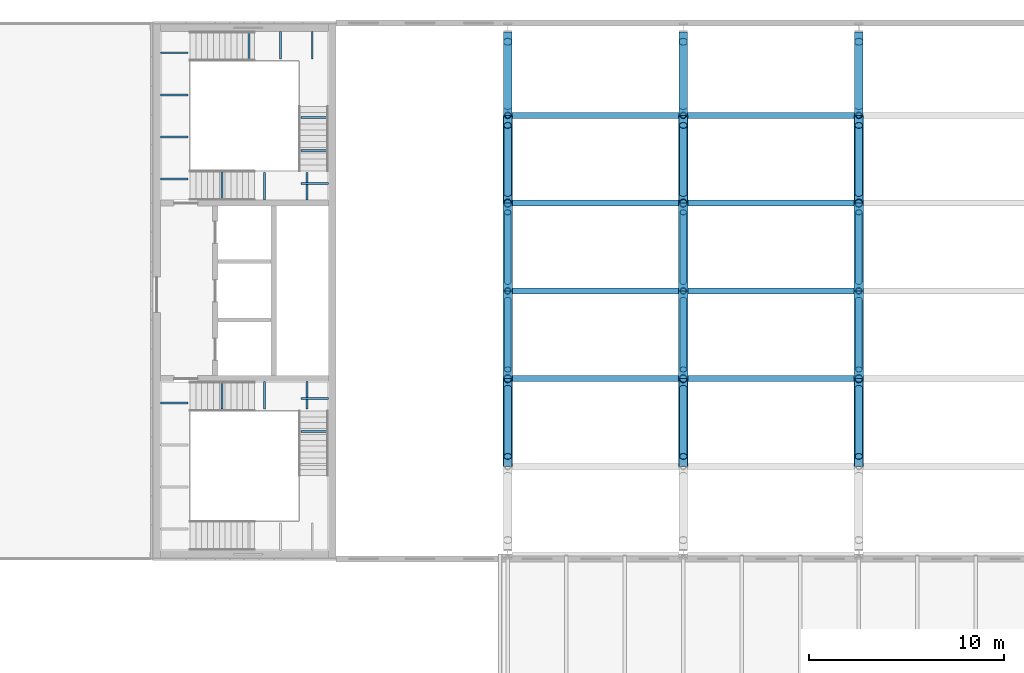
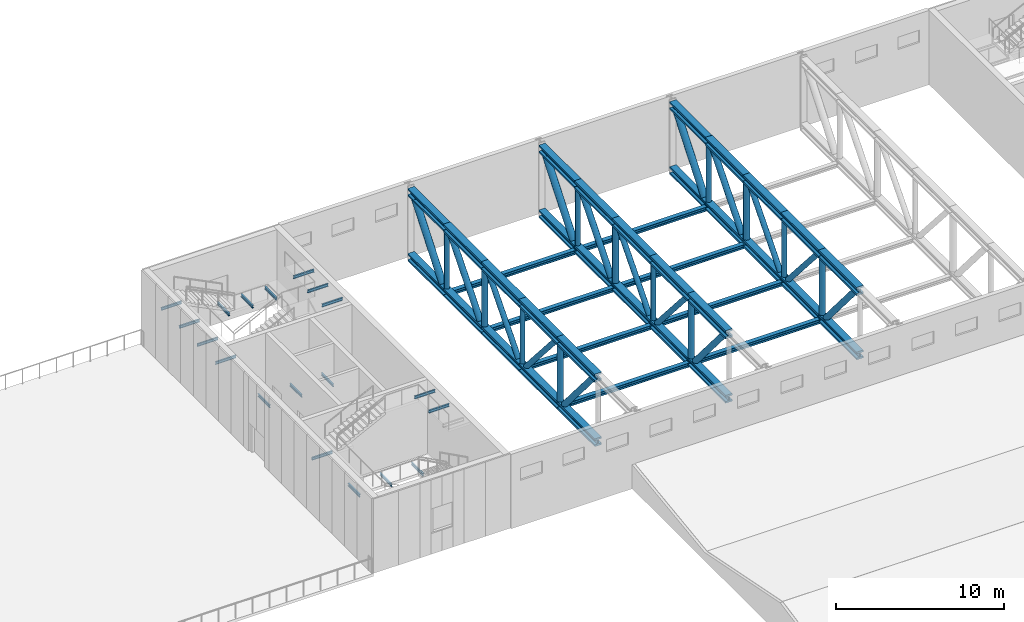
# One storey, part 17 of 29: 57 beams, 27 members.
"""IFC4 building model written with IfcOpenShell, lengths in metres."""

from ifc_helpers import new_model, si_unit, direction, frame, origin, origin_2d, place, context, subcontext, project, spatial, hollow_circle, i_section, extrude, material, material_profile, profile_set, type_object, element, save


model = new_model("IFC4")

# Units and contexts
model_context = context("Model", 3, precision=1e-05, world=origin(), true_north=direction((0.0, 1.0)))
body_context = subcontext(model_context, "Body", "Model", "MODEL_VIEW")
ifc_project = project(units=[si_unit("LENGTHUNIT", "METRE"), si_unit("AREAUNIT", "SQUARE_METRE"), si_unit("VOLUMEUNIT", "CUBIC_METRE"), si_unit("PLANEANGLEUNIT", "RADIAN"), si_unit("MASSUNIT", "GRAM", prefix="KILO")], contexts=[model_context])

# Site, building, storey
site_placement = place(None, origin())
site = spatial("IfcSite", under=ifc_project, at=site_placement, CompositionType="ELEMENT")
building_placement = place(site_placement, origin())
building = spatial("IfcBuilding", under=site, at=building_placement, Name="Azimuth Sports and Learning Centre", CompositionType="ELEMENT")
storey_placement = place(building_placement, frame((0.0, 0.0, 27.0)))
storey = spatial("IfcBuildingStorey", under=building, at=storey_placement, Name="L05", CompositionType="ELEMENT", Elevation=27.0)

# Beams
ifc_material_1 = material(Name="Steel S355", Category="steel")
ifc_material_profile_1 = material_profile(ifc_material_1, i_section(OverallWidth=0.300048828125, OverallDepth=0.300048828125, WebThickness=0.010986328125, FlangeThickness=0.01904296875, FilletRadius=0.027099609375, at=origin_2d()), Name="HEB 300")
ifc_profile_set_1 = profile_set([ifc_material_profile_1], Name="Steel S355")
beam_type_1 = type_object("IfcBeamType", Name="Beam HEB 300", PredefinedType="BEAM", material=ifc_profile_set_1)
for number, where, z_axis, x_axis, name in (
    (1, (72.235595703125, 99.0, 0.14990234375), (1.0, 0.0, 0.0), (0.0, 1.0, 0.0), "Transfer truss bracing strut 4"),
    (2, (81.235595703125, 99.0, 0.14990234375), (1.0, 0.0, 0.0), (0.0, 1.0, 0.0), "Transfer truss bracing strut 5"),
    (3, (72.235595703125, 103.5, 0.14990234375), (1.0, 0.0, 0.0), (0.0, 1.0, 0.0), "Transfer truss bracing strut 7"),
    (4, (81.235595703125, 103.5, 0.14990234375), (1.0, 0.0, 0.0), (0.0, 1.0, 0.0), "Transfer truss bracing strut 8"),
    (5, (72.235595703125, 108.0, 0.14990234375), (1.0, 0.0, 0.0), (0.0, 1.0, 0.0), "Transfer truss bracing strut 10"),
    (6, (81.235595703125, 108.0, 0.14990234375), (1.0, 0.0, 0.0), (0.0, 1.0, 0.0), "Transfer truss bracing strut 11"),
):
    element("IfcBeam", number, at=place(storey_placement, frame(where, z_axis=z_axis, x_axis=x_axis)), inside=storey, type_object=beam_type_1, Name=name, PredefinedType="BEAM", context=body_context, shape_type="SweptSolid", body=[
        extrude(i_section(OverallWidth=0.300048828125, OverallDepth=0.300048828125, WebThickness=0.010986328125, FlangeThickness=0.01904296875, FilletRadius=0.027099609375, at=origin_2d()), origin(), (0.0, 0.0, 1.0), 8.52880859375),
    ])
for number, where, z_axis, x_axis, name in (
    (7, (72.22705078125, 112.5, 0.14990234375), (1.0, 0.0, 0.0), (0.0, 1.0, 0.0), "Transfer truss bracing strut 13"),
    (8, (81.22705078125, 112.5, 0.14990234375), (1.0, 0.0, 0.0), (0.0, 1.0, 0.0), "Transfer truss bracing strut 14"),
):
    element("IfcBeam", number, at=place(storey_placement, frame(where, z_axis=z_axis, x_axis=x_axis)), inside=storey, type_object=beam_type_1, Name=name, PredefinedType="BEAM", context=body_context, shape_type="SweptSolid", body=[
        extrude(i_section(OverallWidth=0.300048828125, OverallDepth=0.300048828125, WebThickness=0.010986328125, FlangeThickness=0.01904296875, FilletRadius=0.027099609375, at=origin_2d()), origin(), (0.0, 0.0, 1.0), 8.5458984375),
    ])
ifc_material_2 = material(Name="Steel S355", Category="steel")
ifc_material_profile_2 = material_profile(ifc_material_2, i_section(OverallWidth=0.10009765625, OverallDepth=0.199951171875, WebThickness=0.005615234375, FlangeThickness=0.008544921875, FilletRadius=0.011962890625, at=origin_2d()), Name="IPE 200")
ifc_profile_set_2 = profile_set([ifc_material_profile_2], Name="Steel S355")
beam_type_2 = type_object("IfcBeamType", Name="Beam IPE 200", PredefinedType="BEAM", material=ifc_profile_set_2)
for number, where, z_axis, x_axis, name in (
    (9, (57.340087890625, 98.85009765625, -0.300048828125), (0.0, -1.0, 0.0), (1.0, 0.0, 0.0), "Landing bracket W1 L05 46"),
    (10, (59.52001953125, 98.85009765625, -0.300048828125), (0.0, -1.0, 0.0), (1.0, 0.0, 0.0), "Landing bracket W1 L05 47"),
    (11, (61.699951171875, 98.85009765625, -0.300048828125), (0.0, -1.0, 0.0), (1.0, 0.0, 0.0), "Landing bracket W1 L05 48"),
    (12, (54.199951171875, 97.76123046875, 3.300048828125), (1.0, 0.0, 0.0), (0.0, 1.0, 0.0), "Landing bracket W1 L05 55"),
    (13, (62.800048828125, 96.294921875, 5.10009765625), (-1.0, 0.0, 0.0), (0.0, -1.0, 0.0), "Landing bracket W1 L05 57"),
    (14, (62.800048828125, 97.99169921875, 5.10009765625), (-1.0, 0.0, 0.0), (0.0, -1.0, 0.0), "Landing bracket W1 L05 58"),
    (15, (57.340087890625, 108.14990234375, -0.300048828125), (0.0, 1.0, 0.0), (-1.0, 0.0, 0.0), "Landing bracket W2 L05 224"),
    (16, (59.52001953125, 108.14990234375, -0.300048828125), (0.0, 1.0, 0.0), (-1.0, 0.0, 0.0), "Landing bracket W2 L05 225"),
    (17, (61.699951171875, 108.14990234375, -0.300048828125), (0.0, 1.0, 0.0), (-1.0, 0.0, 0.0), "Landing bracket W2 L05 226"),
    (18, (58.723388671875, 116.800048828125, 1.5), (0.0, -1.0, 0.0), (1.0, 0.0, 0.0), "Landing bracket W2 L05 227"),
    (19, (60.35009765625, 116.800048828125, 1.5), (0.0, -1.0, 0.0), (1.0, 0.0, 0.0), "Landing bracket W2 L05 228"),
    (20, (61.9765625, 116.800048828125, 1.5), (0.0, -1.0, 0.0), (1.0, 0.0, 0.0), "Landing bracket W2 L05 229"),
    (21, (54.199951171875, 109.23876953125, 3.300048828125), (1.0, 0.0, 0.0), (0.0, 1.0, 0.0), "Landing bracket W2 L05 230"),
    (22, (54.199951171875, 111.396240234375, 3.300048828125), (1.0, 0.0, 0.0), (0.0, 1.0, 0.0), "Landing bracket W2 L05 231"),
    (23, (54.199951171875, 113.5537109375, 3.300048828125), (1.0, 0.0, 0.0), (0.0, 1.0, 0.0), "Landing bracket W2 L05 232"),
    (24, (54.199951171875, 115.711181640625, 3.300048828125), (1.0, 0.0, 0.0), (0.0, 1.0, 0.0), "Landing bracket W2 L05 233"),
    (25, (62.800048828125, 109.00830078125, 5.10009765625), (-1.0, 0.0, 0.0), (0.0, -1.0, 0.0), "Landing bracket W2 L05 234"),
    (26, (62.800048828125, 110.705078125, 5.10009765625), (-1.0, 0.0, 0.0), (0.0, -1.0, 0.0), "Landing bracket W2 L05 235"),
    (27, (62.800048828125, 112.401611328125, 5.10009765625), (-1.0, 0.0, 0.0), (0.0, -1.0, 0.0), "Landing bracket W2 L05 236"),
):
    element("IfcBeam", number, at=place(storey_placement, frame(where, z_axis=z_axis, x_axis=x_axis)), inside=storey, type_object=beam_type_2, Name=name, PredefinedType="BEAM", context=body_context, shape_type="SweptSolid", body=[
        extrude(i_section(OverallWidth=0.10009765625, OverallDepth=0.199951171875, WebThickness=0.005615234375, FlangeThickness=0.008544921875, FilletRadius=0.011962890625, at=origin_2d()), origin(), (0.0, 0.0, 1.0), 1.41015625),
    ])
ifc_material_3 = material(Name="Steel S460", Category="steel")
ifc_material_profile_3 = material_profile(ifc_material_3, i_section(OverallWidth=0.4541015625, OverallDepth=0.569091796875, WebThickness=0.077880859375, FlangeThickness=0.125, FilletRadius=0.014892578125, at=origin_2d()), Name="HD 400x1086")
ifc_profile_set_3 = profile_set([ifc_material_profile_3], Name="Steel S460")
beam_type_3 = type_object("IfcBeamType", Name="Truss chord HD 400x1086", PredefinedType="USERDEFINED", material=ifc_profile_set_3)
for number, where, z_axis, x_axis, name in (
    (28, (72.0, 94.5, 0.284423828125), (0.0, 1.0, 0.0), (-1.0, 0.0, 0.0), "Transfer truss TT-1 bottom chord 2"),
    (29, (72.0, 108.0, 0.284423828125), (0.0, 1.0, 0.0), (-1.0, 0.0, 0.0), "Transfer truss TT-1 bottom chord 5"),
    (30, (81.0, 94.5, 0.284423828125), (0.0, 1.0, 0.0), (-1.0, 0.0, 0.0), "Transfer truss TT-2 bottom chord 2"),
    (31, (81.0, 108.0, 0.284423828125), (0.0, 1.0, 0.0), (-1.0, 0.0, 0.0), "Transfer truss TT-2 bottom chord 5"),
    (32, (90.0, 94.5, 0.284423828125), (0.0, 1.0, 0.0), (-1.0, 0.0, 0.0), "Transfer truss TT-3 bottom chord 2"),
    (33, (90.0, 108.0, 0.284423828125), (0.0, 1.0, 0.0), (-1.0, 0.0, 0.0), "Transfer truss TT-3 bottom chord 5"),
):
    element("IfcBeam", number, at=place(storey_placement, frame(where, z_axis=z_axis, x_axis=x_axis)), inside=storey, type_object=beam_type_3, Name=name, ObjectType="TRUSS CHORD", PredefinedType="USERDEFINED", context=body_context, shape_type="SweptSolid", body=[
        extrude(i_section(OverallWidth=0.4541015625, OverallDepth=0.569091796875, WebThickness=0.077880859375, FlangeThickness=0.125, FilletRadius=0.014892578125, at=origin_2d()), origin(), (0.0, 0.0, 1.0), 4.5),
    ])
ifc_material_4 = material(Name="Steel S460", Category="steel")
ifc_material_profile_4 = material_profile(ifc_material_4, i_section(OverallWidth=0.470947265625, OverallDepth=0.580078125, WebThickness=0.094970703125, FlangeThickness=0.1298828125, FilletRadius=0.014892578125, at=origin_2d()), Name="HD 400x1202")
ifc_profile_set_4 = profile_set([ifc_material_profile_4], Name="Steel S460")
beam_type_4 = type_object("IfcBeamType", Name="Truss chord HD 400x1202", PredefinedType="USERDEFINED", material=ifc_profile_set_4)
for number, where, z_axis, x_axis, name in (
    (34, (72.0, 99.0, 0.2900390625), (0.0, 1.0, 0.0), (-1.0, 0.0, 0.0), "Transfer truss TT-1 bottom chord 3"),
    (35, (72.0, 103.5, 0.2900390625), (0.0, 1.0, 0.0), (-1.0, 0.0, 0.0), "Transfer truss TT-1 bottom chord 4"),
    (36, (81.0, 99.0, 0.2900390625), (0.0, 1.0, 0.0), (-1.0, 0.0, 0.0), "Transfer truss TT-2 bottom chord 3"),
    (37, (81.0, 103.5, 0.2900390625), (0.0, 1.0, 0.0), (-1.0, 0.0, 0.0), "Transfer truss TT-2 bottom chord 4"),
    (38, (90.0, 99.0, 0.2900390625), (0.0, 1.0, 0.0), (-1.0, 0.0, 0.0), "Transfer truss TT-3 bottom chord 3"),
    (39, (90.0, 103.5, 0.2900390625), (0.0, 1.0, 0.0), (-1.0, 0.0, 0.0), "Transfer truss TT-3 bottom chord 4"),
):
    element("IfcBeam", number, at=place(storey_placement, frame(where, z_axis=z_axis, x_axis=x_axis)), inside=storey, type_object=beam_type_4, Name=name, ObjectType="TRUSS CHORD", PredefinedType="USERDEFINED", context=body_context, shape_type="SweptSolid", body=[
        extrude(i_section(OverallWidth=0.470947265625, OverallDepth=0.580078125, WebThickness=0.094970703125, FlangeThickness=0.1298828125, FilletRadius=0.014892578125, at=origin_2d()), origin(), (0.0, 0.0, 1.0), 4.5),
    ])
ifc_material_5 = material(Name="Steel S460", Category="steel")
ifc_material_profile_5 = material_profile(ifc_material_5, i_section(OverallWidth=0.47607421875, OverallDepth=0.60009765625, WebThickness=0.10009765625, FlangeThickness=0.139892578125, FilletRadius=0.014892578125, at=origin_2d()), Name="HD 400x1299")
ifc_profile_set_5 = profile_set([ifc_material_profile_5], Name="Steel S460")
beam_type_5 = type_object("IfcBeamType", Name="Truss chord HD 400x1299", PredefinedType="USERDEFINED", material=ifc_profile_set_5)
for number, where, z_axis, x_axis, name in (
    (40, (72.0, 94.5, 4.969970703125), (0.0, 1.0, 0.0), (-1.0, 0.0, 0.0), "Transfer truss TT-1 top chord 2"),
    (41, (72.0, 99.0, 4.969970703125), (0.0, 1.0, 0.0), (-1.0, 0.0, 0.0), "Transfer truss TT-1 top chord 3"),
    (42, (72.0, 103.5, 4.969970703125), (0.0, 1.0, 0.0), (-1.0, 0.0, 0.0), "Transfer truss TT-1 top chord 4"),
    (43, (72.0, 108.0, 4.969970703125), (0.0, 1.0, 0.0), (-1.0, 0.0, 0.0), "Transfer truss TT-1 top chord 5"),
    (44, (81.0, 94.5, 4.969970703125), (0.0, 1.0, 0.0), (-1.0, 0.0, 0.0), "Transfer truss TT-2 top chord 2"),
    (45, (81.0, 99.0, 4.969970703125), (0.0, 1.0, 0.0), (-1.0, 0.0, 0.0), "Transfer truss TT-2 top chord 3"),
    (46, (81.0, 103.5, 4.969970703125), (0.0, 1.0, 0.0), (-1.0, 0.0, 0.0), "Transfer truss TT-2 top chord 4"),
    (47, (81.0, 108.0, 4.969970703125), (0.0, 1.0, 0.0), (-1.0, 0.0, 0.0), "Transfer truss TT-2 top chord 5"),
    (48, (90.0, 94.5, 4.969970703125), (0.0, 1.0, 0.0), (-1.0, 0.0, 0.0), "Transfer truss TT-3 top chord 2"),
    (49, (90.0, 99.0, 4.969970703125), (0.0, 1.0, 0.0), (-1.0, 0.0, 0.0), "Transfer truss TT-3 top chord 3"),
    (50, (90.0, 103.5, 4.969970703125), (0.0, 1.0, 0.0), (-1.0, 0.0, 0.0), "Transfer truss TT-3 top chord 4"),
    (51, (90.0, 108.0, 4.969970703125), (0.0, 1.0, 0.0), (-1.0, 0.0, 0.0), "Transfer truss TT-3 top chord 5"),
):
    element("IfcBeam", number, at=place(storey_placement, frame(where, z_axis=z_axis, x_axis=x_axis)), inside=storey, type_object=beam_type_5, Name=name, ObjectType="TRUSS CHORD", PredefinedType="USERDEFINED", context=body_context, shape_type="SweptSolid", body=[
        extrude(i_section(OverallWidth=0.47607421875, OverallDepth=0.60009765625, WebThickness=0.10009765625, FlangeThickness=0.139892578125, FilletRadius=0.014892578125, at=origin_2d()), origin(), (0.0, 0.0, 1.0), 4.5),
    ])
ifc_material_6 = material(Name="Steel S460", Category="steel")
ifc_material_profile_6 = material_profile(ifc_material_6, i_section(OverallWidth=0.447998046875, OverallDepth=0.550048828125, WebThickness=0.072021484375, FlangeThickness=0.114990234375, FilletRadius=0.014892578125, at=origin_2d()), Name="HD 400x990")
ifc_profile_set_6 = profile_set([ifc_material_profile_6], Name="Steel S460")
beam_type_6 = type_object("IfcBeamType", Name="Truss chord HD 400x990", PredefinedType="USERDEFINED", material=ifc_profile_set_6)
for number, where, z_axis, x_axis, name in (
    (52, (72.0, 112.5, 4.9951171875), (0.0, 1.0, 0.0), (-1.0, 0.0, 0.0), "Transfer truss TT-1 top chord 6"),
    (53, (72.0, 112.5, 0.27490234375), (0.0, 1.0, 0.0), (-1.0, 0.0, 0.0), "Transfer truss TT-1 bottom chord 6"),
    (54, (81.0, 112.5, 4.9951171875), (0.0, 1.0, 0.0), (-1.0, 0.0, 0.0), "Transfer truss TT-2 top chord 6"),
    (55, (81.0, 112.5, 0.27490234375), (0.0, 1.0, 0.0), (-1.0, 0.0, 0.0), "Transfer truss TT-2 bottom chord 6"),
    (56, (90.0, 112.5, 4.9951171875), (0.0, 1.0, 0.0), (-1.0, 0.0, 0.0), "Transfer truss TT-3 top chord 6"),
    (57, (90.0, 112.5, 0.27490234375), (0.0, 1.0, 0.0), (-1.0, 0.0, 0.0), "Transfer truss TT-3 bottom chord 6"),
):
    element("IfcBeam", number, at=place(storey_placement, frame(where, z_axis=z_axis, x_axis=x_axis)), inside=storey, type_object=beam_type_6, Name=name, ObjectType="TRUSS CHORD", PredefinedType="USERDEFINED", context=body_context, shape_type="SweptSolid", body=[
        extrude(i_section(OverallWidth=0.447998046875, OverallDepth=0.550048828125, WebThickness=0.072021484375, FlangeThickness=0.114990234375, FilletRadius=0.014892578125, at=origin_2d()), origin(), (0.0, 0.0, 1.0), 4.262939453125),
    ])

# Members
ifc_material_7 = material(Name="Steel S355", Category="steel")
ifc_material_profile_7 = material_profile(ifc_material_7, hollow_circle(Radius=0.177734375, WallThickness=0.01611328125, at=origin_2d()), Name="CHS 355.6x16.0")
ifc_profile_set_7 = profile_set([ifc_material_profile_7], Name="Steel S355")
member_type_1 = type_object("IfcMemberType", Name="Truss diagonal CHS 355.6x16.0", PredefinedType="BRACE", material=ifc_profile_set_7)
for number, where, z_axis, x_axis, name in (
    (58, (72.0, 99.471435546875, 4.669921875), (0.0, 0.657152899094, -0.75375729994), (-1.0, 0.0, 0.0), "Transfer truss TT-1 diagonal 3"),
    (59, (72.0, 107.528564453125, 4.669921875), (0.0, -0.657152899094, -0.75375729994), (1.0, 0.0, 0.0), "Transfer truss TT-1 diagonal 4"),
    (60, (81.0, 99.471435546875, 4.669921875), (0.0, 0.657152899094, -0.75375729994), (-1.0, 0.0, 0.0), "Transfer truss TT-2 diagonal 3"),
    (61, (81.0, 107.528564453125, 4.669921875), (0.0, -0.657152899094, -0.75375729994), (1.0, 0.0, 0.0), "Transfer truss TT-2 diagonal 4"),
    (62, (90.0, 99.471435546875, 4.669921875), (0.0, 0.657152899094, -0.75375729994), (-1.0, 0.0, 0.0), "Transfer truss TT-3 diagonal 3"),
    (63, (90.0, 107.528564453125, 4.669921875), (0.0, -0.657152899094, -0.75375729994), (1.0, 0.0, 0.0), "Transfer truss TT-3 diagonal 4"),
):
    element("IfcMember", number, at=place(storey_placement, frame(where, z_axis=z_axis, x_axis=x_axis)), inside=storey, type_object=member_type_1, Name=name, PredefinedType="BRACE", context=body_context, shape_type="SweptSolid", body=[
        extrude(hollow_circle(Radius=0.177734375, WallThickness=0.01611328125, at=origin_2d()), origin(), (0.0, 0.0, 1.0), 5.426025390625),
    ])
ifc_material_8 = material(Name="Steel S355", Category="steel")
ifc_material_profile_8 = material_profile(ifc_material_8, hollow_circle(Radius=0.203125, WallThickness=0.01611328125, at=origin_2d()), Name="CHS 406.4x16.0")
ifc_profile_set_8 = profile_set([ifc_material_profile_8], Name="Steel S355")
member_type_2 = type_object("IfcMemberType", Name="Truss diagonal CHS 406.4x16.0", PredefinedType="BRACE", material=ifc_profile_set_8)
for number, where, z_axis, x_axis, name in (
    (64, (72.0, 95.014892578125, 4.669921875), (0.0, 0.647399452914, -0.76215086982), (-1.0, 0.0, 0.0), "Transfer truss TT-1 diagonal 2"),
    (65, (72.0, 111.985107421875, 4.669921875), (0.0, -0.647399452914, -0.76215086982), (1.0, 0.0, 0.0), "Transfer truss TT-1 diagonal 5"),
    (66, (81.0, 95.014892578125, 4.669921875), (0.0, 0.647399452914, -0.76215086982), (-1.0, 0.0, 0.0), "Transfer truss TT-2 diagonal 2"),
    (67, (81.0, 111.985107421875, 4.669921875), (0.0, -0.647399452914, -0.76215086982), (1.0, 0.0, 0.0), "Transfer truss TT-2 diagonal 5"),
    (68, (90.0, 95.014892578125, 4.669921875), (0.0, 0.647399452914, -0.76215086982), (-1.0, 0.0, 0.0), "Transfer truss TT-3 diagonal 2"),
    (69, (90.0, 111.985107421875, 4.669921875), (0.0, -0.647399452914, -0.76215086982), (1.0, 0.0, 0.0), "Transfer truss TT-3 diagonal 5"),
):
    element("IfcMember", number, at=place(storey_placement, frame(where, z_axis=z_axis, x_axis=x_axis)), inside=storey, type_object=member_type_2, Name=name, PredefinedType="BRACE", context=body_context, shape_type="SweptSolid", body=[
        extrude(hollow_circle(Radius=0.203125, WallThickness=0.01611328125, at=origin_2d()), origin(), (0.0, 0.0, 1.0), 5.380615234375),
    ])
ifc_material_9 = material(Name="Steel S355", Category="steel")
ifc_material_profile_9 = material_profile(ifc_material_9, hollow_circle(Radius=0.228515625, WallThickness=0.01611328125, at=origin_2d()), Name="CHS 457x16.0")
ifc_profile_set_9 = profile_set([ifc_material_profile_9], Name="Steel S355")
member_type_3 = type_object("IfcMemberType", Name="Truss diagonal CHS 457x16.0", PredefinedType="BRACE", material=ifc_profile_set_9)
for number, where, z_axis, x_axis, name in (
    (70, (72.0, 116.276123046875, 4.719970703125), (0.0, -0.619326776341, -0.785133328873), (1.0, 0.0, 0.0), "Transfer truss TT-1 diagonal 6"),
    (71, (81.0, 116.276123046875, 4.719970703125), (0.0, -0.619326776341, -0.785133328873), (1.0, 0.0, 0.0), "Transfer truss TT-2 diagonal 6"),
    (72, (90.0, 116.276123046875, 4.719970703125), (0.0, -0.619326776341, -0.785133328873), (1.0, 0.0, 0.0), "Transfer truss TT-3 diagonal 6"),
):
    element("IfcMember", number, at=place(storey_placement, frame(where, z_axis=z_axis, x_axis=x_axis)), inside=storey, type_object=member_type_3, Name=name, PredefinedType="BRACE", context=body_context, shape_type="SweptSolid", body=[
        extrude(hollow_circle(Radius=0.228515625, WallThickness=0.01611328125, at=origin_2d()), origin(), (0.0, 0.0, 1.0), 5.31103515625),
    ])
ifc_material_10 = material(Name="Steel S355", Category="steel")
ifc_material_profile_10 = material_profile(ifc_material_10, hollow_circle(Radius=0.161865234375, WallThickness=0.01611328125, at=origin_2d()), Name="CHS 323.9x16.0")
ifc_profile_set_10 = profile_set([ifc_material_profile_10], Name="Steel S355")
member_type_4 = type_object("IfcMemberType", Name="Truss post CHS 323.9x16.0", PredefinedType="POST", material=ifc_profile_set_10)
member_1_placement = place(storey_placement, frame((72.0, 103.5, 0.580078125), z_axis=(0.0, 0.0, 1.0), x_axis=(1.0, 0.0, 0.0)))
element("IfcMember", 73, at=member_1_placement, inside=storey, type_object=member_type_4, Name="Transfer truss TT-1 post 3", PredefinedType="POST", context=body_context, shape_type="SweptSolid", body=[
    extrude(hollow_circle(Radius=0.161865234375, WallThickness=0.01611328125, at=origin_2d()), origin(), (0.0, 0.0, 1.0), 4.08984375),
])
member_2_placement = place(storey_placement, frame((72.0, 112.5, 0.550048828125), z_axis=(0.0, 0.0, 1.0), x_axis=(1.0, 0.0, 0.0)))
element("IfcMember", 74, at=member_2_placement, inside=storey, type_object=member_type_4, Name="Transfer truss TT-1 post 5", PredefinedType="POST", context=body_context, shape_type="SweptSolid", body=[
    extrude(hollow_circle(Radius=0.161865234375, WallThickness=0.01611328125, at=origin_2d()), origin(), (0.0, 0.0, 1.0), 4.169921875),
])
member_3_placement = place(storey_placement, frame((81.0, 103.5, 0.580078125), z_axis=(0.0, 0.0, 1.0), x_axis=(1.0, 0.0, 0.0)))
element("IfcMember", 75, at=member_3_placement, inside=storey, type_object=member_type_4, Name="Transfer truss TT-2 post 3", PredefinedType="POST", context=body_context, shape_type="SweptSolid", body=[
    extrude(hollow_circle(Radius=0.161865234375, WallThickness=0.01611328125, at=origin_2d()), origin(), (0.0, 0.0, 1.0), 4.08984375),
])
member_4_placement = place(storey_placement, frame((81.0, 112.5, 0.550048828125), z_axis=(0.0, 0.0, 1.0), x_axis=(1.0, 0.0, 0.0)))
element("IfcMember", 76, at=member_4_placement, inside=storey, type_object=member_type_4, Name="Transfer truss TT-2 post 5", PredefinedType="POST", context=body_context, shape_type="SweptSolid", body=[
    extrude(hollow_circle(Radius=0.161865234375, WallThickness=0.01611328125, at=origin_2d()), origin(), (0.0, 0.0, 1.0), 4.169921875),
])
member_5_placement = place(storey_placement, frame((90.0, 103.5, 0.580078125), z_axis=(0.0, 0.0, 1.0), x_axis=(1.0, 0.0, 0.0)))
element("IfcMember", 77, at=member_5_placement, inside=storey, type_object=member_type_4, Name="Transfer truss TT-3 post 3", PredefinedType="POST", context=body_context, shape_type="SweptSolid", body=[
    extrude(hollow_circle(Radius=0.161865234375, WallThickness=0.01611328125, at=origin_2d()), origin(), (0.0, 0.0, 1.0), 4.08984375),
])
member_6_placement = place(storey_placement, frame((90.0, 112.5, 0.550048828125), z_axis=(0.0, 0.0, 1.0), x_axis=(1.0, 0.0, 0.0)))
element("IfcMember", 78, at=member_6_placement, inside=storey, type_object=member_type_4, Name="Transfer truss TT-3 post 5", PredefinedType="POST", context=body_context, shape_type="SweptSolid", body=[
    extrude(hollow_circle(Radius=0.161865234375, WallThickness=0.01611328125, at=origin_2d()), origin(), (0.0, 0.0, 1.0), 4.169921875),
])
ifc_material_11 = material(Name="Steel S355", Category="steel")
ifc_material_profile_11 = material_profile(ifc_material_11, hollow_circle(Radius=0.203125, WallThickness=0.01611328125, at=origin_2d()), Name="CHS 406.4x16.0")
ifc_profile_set_11 = profile_set([ifc_material_profile_11], Name="Steel S355")
member_type_5 = type_object("IfcMemberType", Name="Truss post CHS 406.4x16.0", PredefinedType="POST", material=ifc_profile_set_11)
for number, where, z_axis, x_axis, name in (
    (79, (72.0, 99.0, 0.569091796875), (0.0, 0.0, 1.0), (1.0, 0.0, 0.0), "Transfer truss TT-1 post 2"),
    (80, (72.0, 108.0, 0.569091796875), (0.0, 0.0, 1.0), (1.0, 0.0, 0.0), "Transfer truss TT-1 post 4"),
    (81, (81.0, 99.0, 0.569091796875), (0.0, 0.0, 1.0), (1.0, 0.0, 0.0), "Transfer truss TT-2 post 2"),
    (82, (81.0, 108.0, 0.569091796875), (0.0, 0.0, 1.0), (1.0, 0.0, 0.0), "Transfer truss TT-2 post 4"),
    (83, (90.0, 99.0, 0.569091796875), (0.0, 0.0, 1.0), (1.0, 0.0, 0.0), "Transfer truss TT-3 post 2"),
    (84, (90.0, 108.0, 0.569091796875), (0.0, 0.0, 1.0), (1.0, 0.0, 0.0), "Transfer truss TT-3 post 4"),
):
    element("IfcMember", number, at=place(storey_placement, frame(where, z_axis=z_axis, x_axis=x_axis)), inside=storey, type_object=member_type_5, Name=name, PredefinedType="POST", context=body_context, shape_type="SweptSolid", body=[
        extrude(hollow_circle(Radius=0.203125, WallThickness=0.01611328125, at=origin_2d()), origin(), (0.0, 0.0, 1.0), 4.100830078125),
    ])

save(model, "model.ifc")
